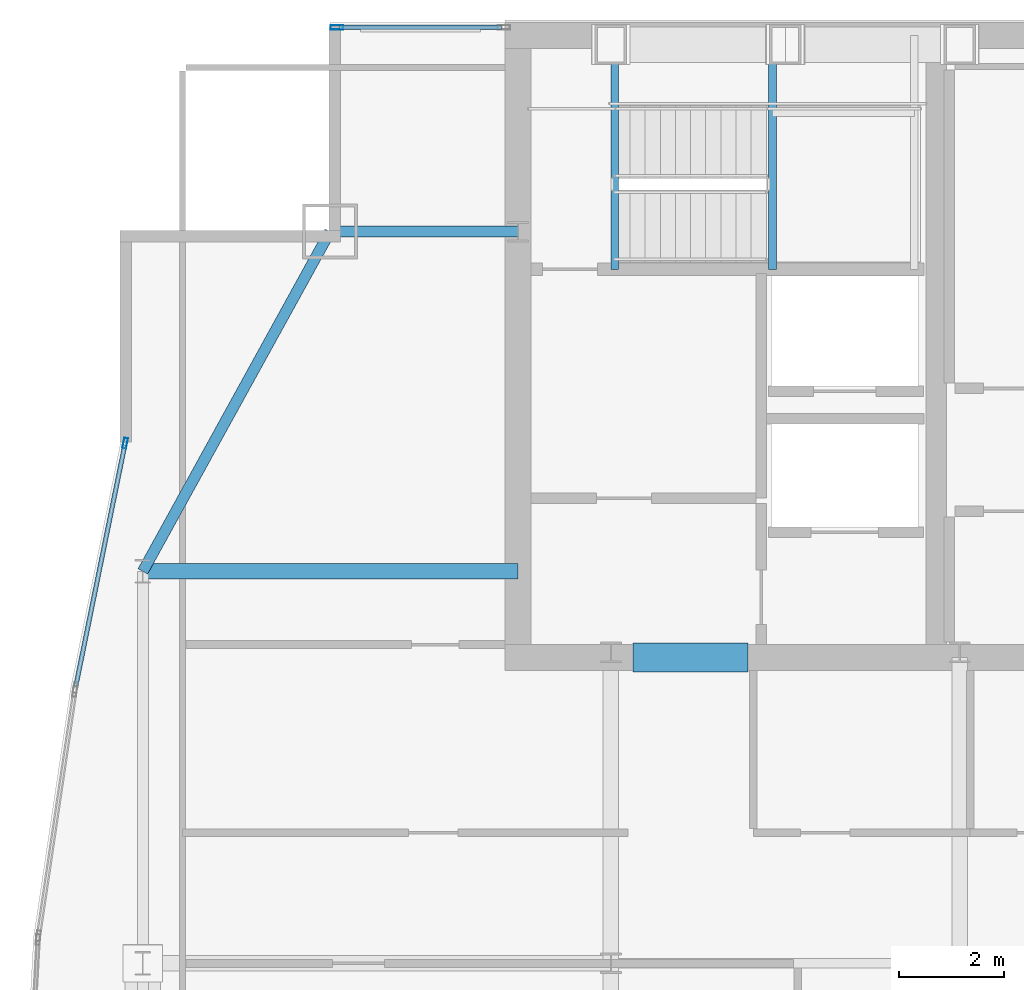
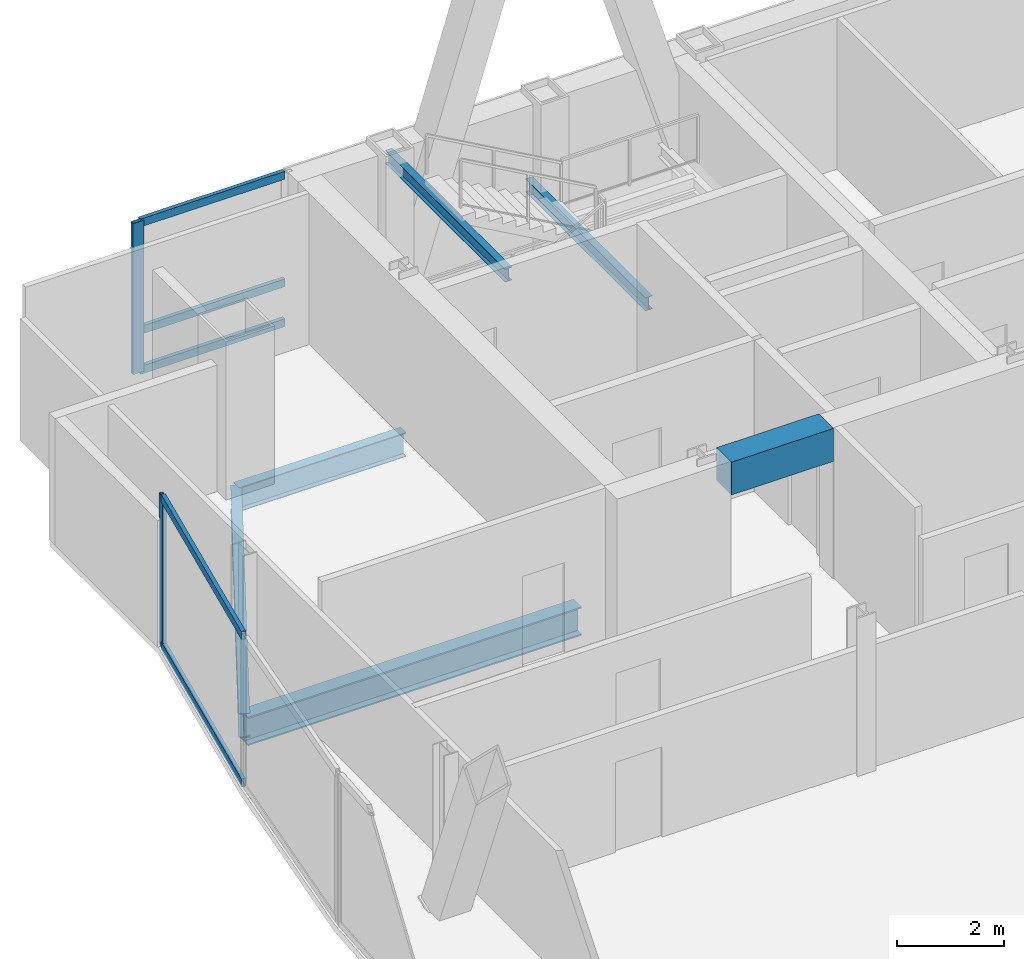
# One storey, part 21 of 31: 7 members, 6 beams, 2 elements without a shape of their own.
"""IFC4 building model written with IfcOpenShell, lengths in metres."""

from ifc_helpers import new_model, si_unit, direction, frame, origin, origin_2d, place, context, subcontext, project, spatial, rectangle, hollow_rectangle, i_section, extrude, material, material_profile, profile_set, type_object, element, aggregate, save


model = new_model("IFC4")

# Units and contexts
model_context = context("Model", 3, precision=1e-05, world=origin(), true_north=direction((0.0, 1.0)))
body_context = subcontext(model_context, "Body", "Model", "MODEL_VIEW")
ifc_project = project(units=[si_unit("LENGTHUNIT", "METRE"), si_unit("AREAUNIT", "SQUARE_METRE"), si_unit("VOLUMEUNIT", "CUBIC_METRE"), si_unit("PLANEANGLEUNIT", "RADIAN"), si_unit("MASSUNIT", "GRAM", prefix="KILO")], contexts=[model_context])

# Site, building, storey
site_placement = place(None, origin())
site = spatial("IfcSite", under=ifc_project, at=site_placement, CompositionType="ELEMENT")
building_placement = place(site_placement, origin())
building = spatial("IfcBuilding", under=site, at=building_placement, Name="Khoronbel Lancet Exchange", CompositionType="ELEMENT")
storey_placement = place(building_placement, frame((0.0, 0.0, 273.39990234375)))
storey = spatial("IfcBuildingStorey", under=building, at=storey_placement, Name="L70", CompositionType="ELEMENT", Elevation=273.39990234375)

# Beams
ifc_material_1 = material(Name="Steel S355", Category="steel")
ifc_material_profile_1 = material_profile(ifc_material_1, i_section(OverallWidth=0.300048828125, OverallDepth=0.64990234375, WebThickness=0.01611328125, FlangeThickness=0.031005859375, at=origin_2d()), Name="HEB 650")
ifc_profile_set_1 = profile_set([ifc_material_profile_1], Name="Steel S355")
beam_type_1 = type_object("IfcBeamType", Name="BM-BG4", PredefinedType="BEAM", material=ifc_profile_set_1)
beam_1_placement = place(storey_placement, frame((9.27001953125, 43.199951171875, -0.48486328125), z_axis=(1.0, 0.0, 0.0), x_axis=(0.0, 1.0, 0.0)))
element("IfcBeam", 1, at=beam_1_placement, inside=storey, type_object=beam_type_1, Name="Level L70 west lens tie girder LG3W", PredefinedType="BEAM", context=body_context, shape_type="SweptSolid", body=[
    extrude(i_section(OverallWidth=0.300048828125, OverallDepth=0.64990234375, WebThickness=0.01611328125, FlangeThickness=0.031005859375, at=origin_2d()), origin(), (0.0, 0.0, 1.0), 7.179931640625),
])
ifc_material_profile_2 = material_profile(ifc_material_1, i_section(OverallWidth=0.14990234375, OverallDepth=0.300048828125, WebThickness=0.007080078125, FlangeThickness=0.0107421875, at=origin_2d()), Name="IPE 300")
ifc_profile_set_2 = profile_set([ifc_material_profile_2], Name="Steel S355")
beam_type_2 = type_object("IfcBeamType", Name="BM-BJ8", PredefinedType="JOIST", material=ifc_profile_set_2)
for number, where, z_axis, x_axis, name in (
    (2, (21.320068359375, 48.97998046875, 1.4501953125), (0.0, 1.0, 0.0), (-1.0, 0.0, 0.0), "Level L70 stair ST1 landing bearer beam 1"),
    (3, (18.300048828125, 48.97998046875, 3.16015625), (0.0, 1.0, 0.0), (-1.0, 0.0, 0.0), "Level L70 stair ST1 upper-flight arrival trimmer beam"),
):
    element("IfcBeam", number, at=place(storey_placement, frame(where, z_axis=z_axis, x_axis=x_axis)), inside=storey, type_object=beam_type_2, Name=name, PredefinedType="JOIST", context=body_context, shape_type="SweptSolid", body=[
        extrude(i_section(OverallWidth=0.14990234375, OverallDepth=0.300048828125, WebThickness=0.007080078125, FlangeThickness=0.0107421875, at=origin_2d()), origin(), (0.0, 0.0, 1.0), 4.469970703125),
    ])
ifc_material_2 = material(Name="Concrete C60/75", Category="concrete")
ifc_material_profile_3 = material_profile(ifc_material_2, rectangle(XDim=0.550048828125, YDim=0.75, at=origin_2d()), Name="RC 550x750")
ifc_profile_set_3 = profile_set([ifc_material_profile_3], Name="Concrete C60/75")
beam_type_3 = type_object("IfcBeamType", Name="BM-BL2", PredefinedType="LINTEL", material=ifc_profile_set_3)
beam_2_placement = place(storey_placement, frame((18.64990234375, 41.550048828125, 3.065185546875), z_axis=(1.0, 0.0, 0.0), x_axis=(0.0, 1.0, 0.0)))
element("IfcBeam", 4, at=beam_2_placement, inside=storey, type_object=beam_type_3, Name="Level L70 rear core coupling lintel L1", PredefinedType="LINTEL", context=body_context, shape_type="SweptSolid", body=[
    extrude(rectangle(XDim=0.550048828125, YDim=0.75, at=origin_2d()), origin(), (0.0, 0.0, 1.0), 2.2001953125),
])
ifc_material_profile_4 = material_profile(ifc_material_1, i_section(OverallWidth=0.2099609375, OverallDepth=0.550048828125, WebThickness=0.010986328125, FlangeThickness=0.01708984375, at=origin_2d()), Name="IPE 550")
ifc_profile_set_4 = profile_set([ifc_material_profile_4], Name="Steel S355")
beam_type_4 = type_object("IfcBeamType", Name="BM-BSP3", PredefinedType="SPANDREL", material=ifc_profile_set_4)
beam_3_placement = place(storey_placement, frame((12.85009765625, 49.699951171875, -0.434814453125), z_axis=(-0.482444051088, -0.875926787791, 0.0), x_axis=(0.875926787791, -0.482444051088, 0.0)))
element("IfcBeam", 5, at=beam_3_placement, inside=storey, type_object=beam_type_4, Name="Level L70 perimeter spandrel beam SP16", PredefinedType="SPANDREL", context=body_context, shape_type="SweptSolid", body=[
    extrude(i_section(OverallWidth=0.2099609375, OverallDepth=0.550048828125, WebThickness=0.010986328125, FlangeThickness=0.01708984375, at=origin_2d()), origin(), (0.0, 0.0, 1.0), 7.420654296875),
])
beam_4_placement = place(storey_placement, frame((12.85009765625, 49.699951171875, -0.434814453125), z_axis=(1.0, 0.0, 0.0), x_axis=(0.0, 1.0, 0.0)))
element("IfcBeam", 6, at=beam_4_placement, inside=storey, type_object=beam_type_4, Name="Level L70 north flank tie spandrel SP22", PredefinedType="SPANDREL", context=body_context, shape_type="SweptSolid", body=[
    extrude(i_section(OverallWidth=0.2099609375, OverallDepth=0.550048828125, WebThickness=0.010986328125, FlangeThickness=0.01708984375, at=origin_2d()), origin(), (0.0, 0.0, 1.0), 3.599853515625),
])

# Curtain wall, member
ifc_material_3 = material(Name="Low-E Solar Control Insulating Glass", Category="glass")
curtain_wall_type_1 = type_object("IfcCurtainWallType", Name="CW-3", PredefinedType="NOTDEFINED", material=ifc_material_3)
curtain_wall_1_placement = place(storey_placement, origin())
curtain_wall_1 = element("IfcCurtainWall", 7, at=curtain_wall_1_placement, inside=storey, type_object=curtain_wall_type_1, Name="Unitised curtain wall CW-L70-NWFLK", PredefinedType="NOTDEFINED")
ifc_material_4 = material(Name="Bronze-Anodised Aluminium 6063-T6", Category="aluminium")
ifc_material_profile_5 = material_profile(ifc_material_4, hollow_rectangle(XDim=0.0849609375, YDim=0.239990234375, WallThickness=0.006103515625, at=origin_2d()), Name="ALU MULLION 85x240")
ifc_profile_set_5 = profile_set([ifc_material_profile_5], Name="Bronze-Anodised Aluminium 6063-T6")
member_type_1 = type_object("IfcMemberType", Name="MEM-CWM1", PredefinedType="MULLION", material=ifc_profile_set_5)
member_1_placement = place(storey_placement, frame((12.982421875, 53.610107421875, 0.0), z_axis=(0.0, 0.0, 1.0), x_axis=(0.0, -1.0, 0.0)))
member_1 = element("IfcMember", 8, at=member_1_placement, type_object=member_type_1, Name="CW3 mullion 2", PredefinedType="MULLION", context=body_context, shape_type="SweptSolid", body=[
    extrude(hollow_rectangle(XDim=0.0849609375, YDim=0.239990234375, WallThickness=0.006103515625, at=origin_2d()), origin(), (0.0, 0.0, 1.0), 3.440185546875),
])

# Curtain wall, members
curtain_wall_type_2 = type_object("IfcCurtainWallType", Name="CW-4", PredefinedType="NOTDEFINED", material=ifc_material_3)
curtain_wall_2_placement = place(storey_placement, origin())
curtain_wall_2 = element("IfcCurtainWall", 9, at=curtain_wall_2_placement, inside=storey, type_object=curtain_wall_type_2, Name="Unitised curtain wall CW-L70-E09", PredefinedType="NOTDEFINED")
ifc_material_profile_6 = material_profile(ifc_material_4, hollow_rectangle(XDim=0.074951171875, YDim=0.199951171875, WallThickness=0.0048828125, at=origin_2d()), Name="ALU MULLION 75x200")
ifc_profile_set_6 = profile_set([ifc_material_profile_6], Name="Bronze-Anodised Aluminium 6063-T6")
member_type_2 = type_object("IfcMemberType", Name="MEM-CWM2", PredefinedType="MULLION", material=ifc_profile_set_6)
member_2_placement = place(storey_placement, frame((8.9326171875, 45.654052734375, 0.0), z_axis=(0.0, 0.0, 1.0), x_axis=(-0.979973815588, 0.199126393935, 0.0)))
member_2 = element("IfcMember", 10, at=member_2_placement, type_object=member_type_2, Name="CW4 mullion 2", PredefinedType="MULLION", context=body_context, shape_type="SweptSolid", body=[
    extrude(hollow_rectangle(XDim=0.074951171875, YDim=0.199951171875, WallThickness=0.0048828125, at=origin_2d()), origin(), (0.0, 0.0, 1.0), 3.440185546875),
])
ifc_material_profile_7 = material_profile(ifc_material_4, hollow_rectangle(XDim=0.0849609375, YDim=0.179931640625, WallThickness=0.0048828125, at=origin_2d()), Name="ALU TRANSOM 85x180")
ifc_profile_set_7 = profile_set([ifc_material_profile_7], Name="Bronze-Anodised Aluminium 6063-T6")
member_type_3 = type_object("IfcMemberType", Name="MEM-CWT1", PredefinedType="USERDEFINED", material=ifc_profile_set_7)
member_3_placement = place(storey_placement, frame((7.988525390625, 41.0078125, 0.04248046875), z_axis=(0.199099645385, 0.979979250396, 0.0), x_axis=(-0.979979250396, 0.199099645385, 0.0)))
member_3 = element("IfcMember", 11, at=member_3_placement, type_object=member_type_3, Name="CW4 transom 1.1", ObjectType="TRANSOM", PredefinedType="USERDEFINED", context=body_context, shape_type="SweptSolid", body=[
    extrude(hollow_rectangle(XDim=0.0849609375, YDim=0.179931640625, WallThickness=0.0048828125, at=origin_2d()), origin(), (0.0, 0.0, 1.0), 4.703857421875),
])
member_4_placement = place(storey_placement, frame((7.988525390625, 41.0078125, 3.397705078125), z_axis=(0.199099645385, 0.979979250396, 0.0), x_axis=(-0.979979250396, 0.199099645385, 0.0)))
member_4 = element("IfcMember", 12, at=member_4_placement, type_object=member_type_3, Name="CW4 transom 1.2", ObjectType="TRANSOM", PredefinedType="USERDEFINED", context=body_context, shape_type="SweptSolid", body=[
    extrude(hollow_rectangle(XDim=0.0849609375, YDim=0.179931640625, WallThickness=0.0048828125, at=origin_2d()), origin(), (0.0, 0.0, 1.0), 4.703857421875),
])
aggregate(curtain_wall_2, [member_2, member_3, member_4])

# Member
member_5_placement = place(storey_placement, frame((16.135009765625, 53.610107421875, 0.04248046875), z_axis=(-1.0, 0.0, 0.0), x_axis=(0.0, -1.0, 0.0)))
member_5 = element("IfcMember", 13, at=member_5_placement, type_object=member_type_3, Name="CW3 transom 1.1", ObjectType="TRANSOM", PredefinedType="USERDEFINED", context=body_context, shape_type="SweptSolid", body=[
    extrude(hollow_rectangle(XDim=0.0849609375, YDim=0.179931640625, WallThickness=0.0048828125, at=origin_2d()), origin(), (0.0, 0.0, 1.0), 3.110107421875),
])

member_6_placement = place(storey_placement, frame((16.135009765625, 53.610107421875, 0.9501953125), z_axis=(-1.0, 0.0, 0.0), x_axis=(0.0, -1.0, 0.0)))
member_6 = element("IfcMember", 14, at=member_6_placement, type_object=member_type_3, Name="CW3 transom 1.2", ObjectType="TRANSOM", PredefinedType="USERDEFINED", context=body_context, shape_type="SweptSolid", body=[
    extrude(hollow_rectangle(XDim=0.0849609375, YDim=0.179931640625, WallThickness=0.0048828125, at=origin_2d()), origin(), (0.0, 0.0, 1.0), 3.110107421875),
])

member_7_placement = place(storey_placement, frame((16.135009765625, 53.610107421875, 3.397705078125), z_axis=(-1.0, 0.0, 0.0), x_axis=(0.0, -1.0, 0.0)))
member_7 = element("IfcMember", 15, at=member_7_placement, type_object=member_type_3, Name="CW3 transom 1.3", ObjectType="TRANSOM", PredefinedType="USERDEFINED", context=body_context, shape_type="SweptSolid", body=[
    extrude(hollow_rectangle(XDim=0.0849609375, YDim=0.179931640625, WallThickness=0.0048828125, at=origin_2d()), origin(), (0.0, 0.0, 1.0), 3.110107421875),
])

aggregate(curtain_wall_1, [member_1, member_5, member_6, member_7])

save(model, "model.ifc")
